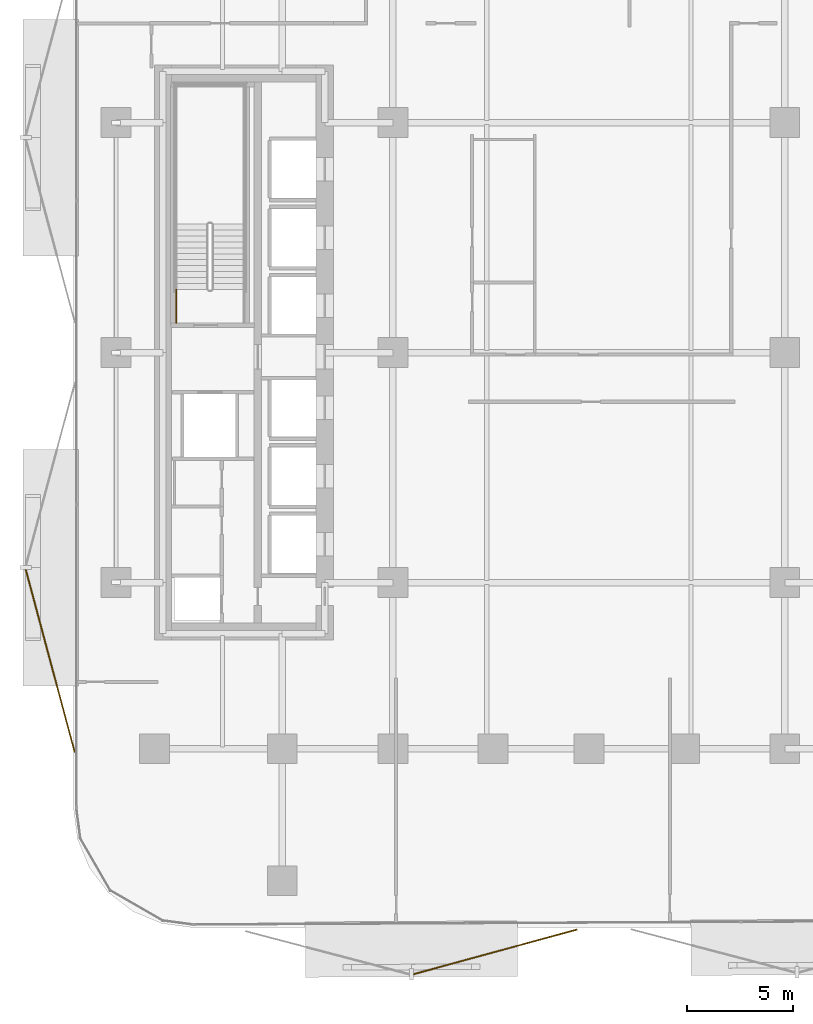
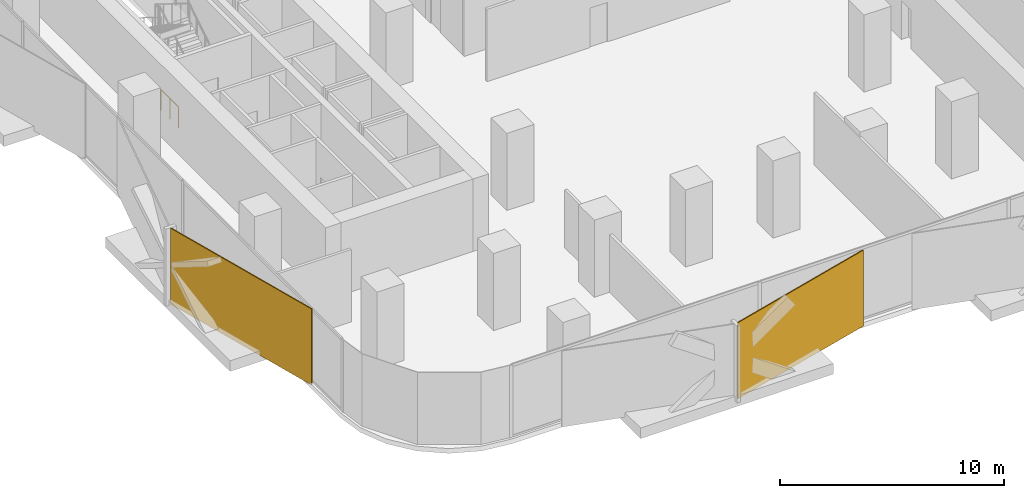
# One storey, part 12 of 16: 2 coverings, 1 railing.
"""IFC4 building model written with IfcOpenShell, lengths in metres."""

from ifc_helpers import new_model, si_unit, direction, frame, origin, origin_2d, place, context, subcontext, project, spatial, rectangle, circle, extrude, material, layer, layer_set, type_object, element, save


model = new_model("IFC4")

# Units and contexts
model_context = context("Model", 3, precision=1e-05, world=origin(), true_north=direction((0.0, 1.0)))
body_context = subcontext(model_context, "Body", "Model", "MODEL_VIEW")
ifc_project = project(units=[si_unit("LENGTHUNIT", "METRE"), si_unit("AREAUNIT", "SQUARE_METRE"), si_unit("VOLUMEUNIT", "CUBIC_METRE"), si_unit("PLANEANGLEUNIT", "RADIAN"), si_unit("MASSUNIT", "GRAM", prefix="KILO")], contexts=[model_context])

# Site, building, storey
site_placement = place(None, origin())
site = spatial("IfcSite", under=ifc_project, at=site_placement, CompositionType="ELEMENT")
building_placement = place(site_placement, origin())
building = spatial("IfcBuilding", under=site, at=building_placement, Name="Khairoan Windgate Tower", CompositionType="ELEMENT")
storey_placement = place(building_placement, frame((0.0, 0.0, 55.39990234375)))
storey = spatial("IfcBuildingStorey", under=building, at=storey_placement, Name="L13", CompositionType="ELEMENT", Elevation=55.39990234375)

# Coverings
ifc_material_1 = material(Name="Anodised Bronze Aluminium 6063-T6", Category="aluminium")
ifc_layer = layer(ifc_material_1, 0.054931640625, Name="Anodised Bronze Aluminium 6063-T6")
ifc_layer_set = layer_set([ifc_layer], Name="Anodised Bronze Aluminium 6063-T6")
covering_type = type_object("IfcCoveringType", Name="Perforated Bronze-Ceramic Folded Solar Screen Cladding BSC-1", PredefinedType="CLADDING", material=ifc_layer_set)
covering_1_placement = place(storey_placement, frame((-4.396484375, -28.140380859375, -0.099609375), z_axis=(0.0, 0.0, 1.0), x_axis=(-0.964649468762, -0.263536339841, 0.0)))
element("IfcCovering", 1, at=covering_1_placement, inside=storey, type_object=covering_type, Name="L13 Folded Bronze Solar Screen Facet 58L", PredefinedType="CLADDING", context=body_context, shape_type="SweptSolid", body=[
    extrude(rectangle(XDim=7.965087890625, YDim=0.054931640625, at=origin_2d()), origin(), (0.0, 0.0, 1.0), 4.139892578125),
])
covering_2_placement = place(storey_placement, frame((-25.290283203125, -14.47607421875, -0.099609375), z_axis=(0.0, 0.0, 1.0), x_axis=(-0.258819045103, 0.965925826289, 0.0)))
element("IfcCovering", 2, at=covering_2_placement, inside=storey, type_object=covering_type, Name="L13 Folded Bronze Solar Screen Facet 59L", PredefinedType="CLADDING", context=body_context, shape_type="SweptSolid", body=[
    extrude(rectangle(XDim=8.884033203125, YDim=0.054931640625, at=origin_2d()), origin(), (0.0, 0.0, 1.0), 4.139892578125),
])

# Railing
ifc_material_2 = material(Name="Steel S355", Category="steel")
railing_type = type_object("IfcRailingType", Name="Stairwell Safety Guardrail SGR-1150", PredefinedType="GUARDRAIL", material=ifc_material_2)
railing_placement = place(storey_placement, frame((-19.3701171875, 1.39990234375, 0.0)))
element("IfcRailing", 3, at=railing_placement, inside=storey, type_object=railing_type, Name="L13 ST2 stair guard 9", PredefinedType="GUARDRAIL", context=body_context, shape_type="SweptSolid", body=[
    extrude(circle(Radius=0.02392578125, at=origin_2d()), frame((0.0, 0.0, 1.1259765625), z_axis=(0.0, 1.0, 0.0), x_axis=(-1.0, 0.0, 0.0)), (0.0, 0.0, 1.0), 1.56005859375),
    extrude(circle(Radius=0.02099609375, at=origin_2d()), origin(), (0.0, 0.0, 1.0), 1.101806640625),
    extrude(circle(Radius=0.02099609375, at=origin_2d()), frame((0.0, 0.780029296875, 0.0)), (0.0, 0.0, 1.0), 1.101806640625),
    extrude(circle(Radius=0.02099609375, at=origin_2d()), frame((0.0, 1.56005859375, 0.0)), (0.0, 0.0, 1.0), 1.101806640625),
])

save(model, "model.ifc")
